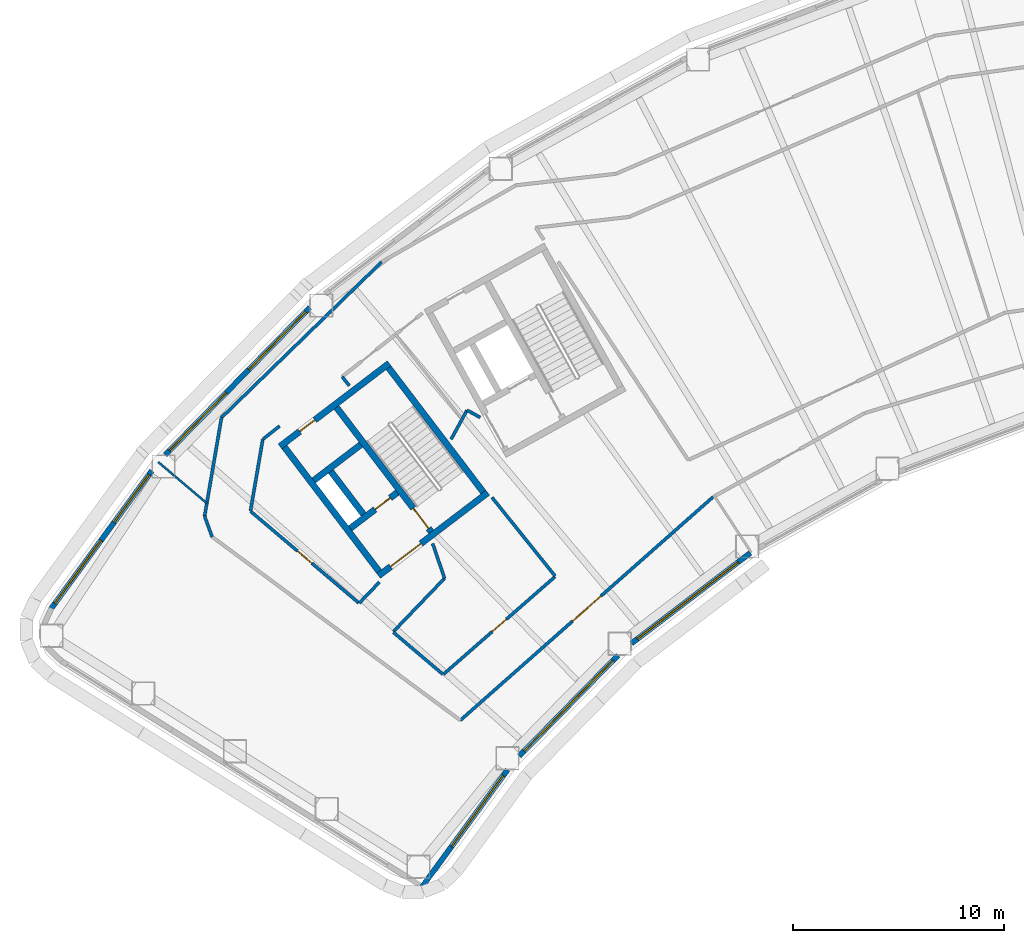
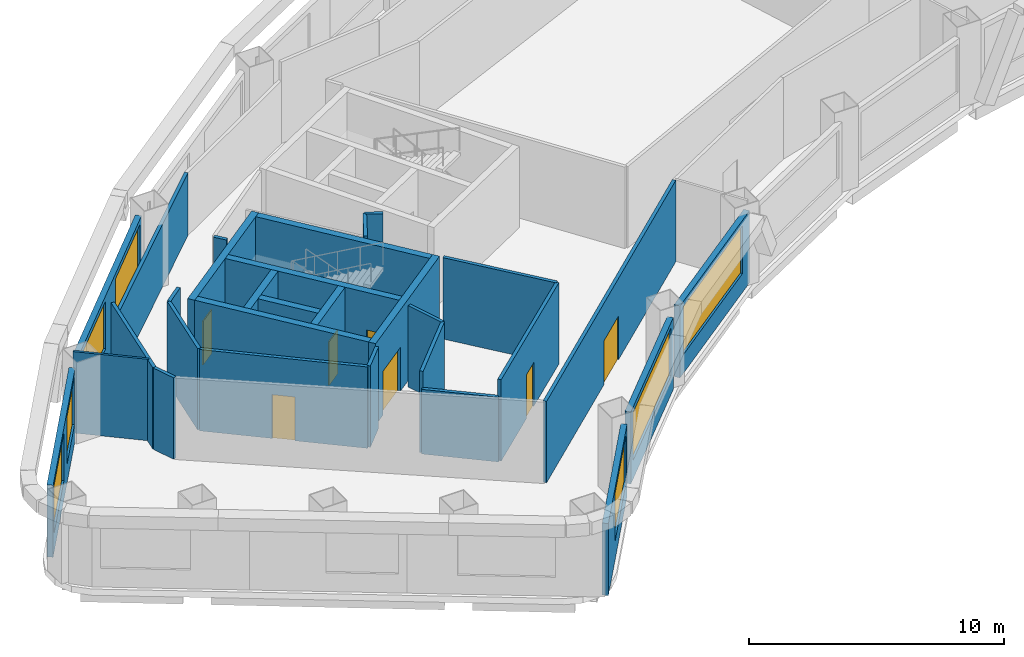
# One storey, part 3 of 12: 30 walls, 7 doors, 7 windows, 14 openings.
"""IFC4 building model written with IfcOpenShell, lengths in metres."""

from ifc_helpers import new_model, si_unit, direction, frame, frame_2d, origin, place, context, subcontext, project, spatial, rectangle, extrude, material, layer, layer_set, type_object, element, fill, save


model = new_model("IFC4")

# Units and contexts
model_context = context("Model", 3, precision=1e-05, world=origin(), true_north=direction((0.0, 1.0)))
body_context = subcontext(model_context, "Body", "Model", "MODEL_VIEW")
ifc_project = project(units=[si_unit("LENGTHUNIT", "METRE"), si_unit("AREAUNIT", "SQUARE_METRE"), si_unit("VOLUMEUNIT", "CUBIC_METRE"), si_unit("PLANEANGLEUNIT", "RADIAN"), si_unit("MASSUNIT", "GRAM", prefix="KILO")], contexts=[model_context])

# Site, building, storey
site_placement = place(None, origin())
site = spatial("IfcSite", under=ifc_project, at=site_placement, CompositionType="ELEMENT")
building_placement = place(site_placement, origin())
building = spatial("IfcBuilding", under=site, at=building_placement, Name="Tuul Gate Civic Tower", CompositionType="ELEMENT")
storey_placement = place(building_placement, frame((0.0, 0.0, 103.5)))
storey = spatial("IfcBuildingStorey", under=building, at=storey_placement, Name="Level 23", CompositionType="ELEMENT", Elevation=103.5)

# Wall, opening, door
ifc_material_1 = material(Name="Concrete C50/60", Category="concrete")
ifc_layer_1 = layer(ifc_material_1, 0.300048828125)
ifc_layer_set_1 = layer_set([ifc_layer_1], Name="Concrete C50/60")
wall_type_1 = type_object("IfcWallType", Name="Core wall C50/60", PredefinedType="SHEAR", material=ifc_layer_set_1)
wall_1_placement = place(storey_placement, frame((-31.19091796875, -13.669677734375, 0.0), z_axis=(0.0, 0.0, 1.0), x_axis=(-0.795606717756, -0.605813461934, 0.0)))
wall_1 = element("IfcWall", 1, at=wall_1_placement, inside=storey, type_object=wall_type_1, Name="Core wall", PredefinedType="SHEAR", context=body_context, shape_type="SweptSolid", body=[
    extrude(rectangle(XDim=6.5, YDim=0.300048828125, at=frame_2d((3.25, 0.0))), origin(), (0.0, 0.0, 1.0), 3.89990234375),
])
opening_1_placement = place(wall_1_placement, frame((3.97509765625, 0.0, 0.0)))
opening_1 = element("IfcOpeningElement", 2, at=opening_1_placement, cuts=wall_1, Name="Opening LB-W1-LOBBY-1", PredefinedType="OPENING", context=body_context, shape_type="SweptSolid", body=[
    extrude(rectangle(XDim=1.800048828125, YDim=2.10009765625, at=frame_2d((0.89990234375, 1.050048828125))), frame((0.0, 0.16015625, 0.0), z_axis=(0.0, -1.0, 0.0), x_axis=(1.0, 0.0, 0.0)), (0.0, 0.0, 1.0), 0.320068359375),
])
ifc_material_2 = material(Name="Steel", Category="steel")
door_type_1 = type_object("IfcDoorType", Name="Lobby door", OperationType="DOUBLE_DOOR_SINGLE_SWING", PredefinedType="DOOR", material=ifc_material_2)
door_1_placement = place(opening_1_placement, origin())
door_1 = element("IfcDoor", 3, at=door_1_placement, inside=storey, type_object=door_type_1, Name="Lobby door W1-LOBBY", OperationType="DOUBLE_DOOR_SINGLE_SWING", OverallHeight=2.10009765625, OverallWidth=1.800048828125, PredefinedType="DOOR", context=body_context, shape_type="SweptSolid", body=[
    extrude(rectangle(XDim=1.800048828125, YDim=2.10009765625, at=frame_2d((0.89990234375, 1.050048828125))), frame((0.0, 0.02490234375, 0.0), z_axis=(0.0, -1.0, 0.0), x_axis=(1.0, 0.0, 0.0)), (0.0, 0.0, 1.0), 0.050048828125),
])
fill(opening_1, door_1)

wall_2_placement = place(storey_placement, frame((-35.470947265625, -13.66064453125, 0.0), z_axis=(0.0, 0.0, 1.0), x_axis=(-0.795615822227, -0.605801504968, 0.0)))
wall_2 = element("IfcWall", 4, at=wall_2_placement, inside=storey, type_object=wall_type_1, Name="Core wall", PredefinedType="SHEAR", context=body_context, shape_type="SweptSolid", body=[
    extrude(rectangle(XDim=2.800048828125, YDim=0.300048828125, at=frame_2d((1.39990234375, 0.0))), origin(), (0.0, 0.0, 1.0), 3.89990234375),
])
opening_2_placement = place(wall_2_placement, frame((0.425048828125, 0.0, 0.0)))
opening_2 = element("IfcOpeningElement", 5, at=opening_2_placement, cuts=wall_2, Name="Opening FB-W1A1", PredefinedType="OPENING", context=body_context, shape_type="SweptSolid", body=[
    extrude(rectangle(XDim=0.89990234375, YDim=2.10009765625, at=frame_2d((0.449951171875, 1.050048828125))), frame((0.0, 0.16015625, 0.0), z_axis=(0.0, -1.0, 0.0), x_axis=(1.0, 0.0, 0.0)), (0.0, 0.0, 1.0), 0.320068359375),
])
ifc_material_3 = material(Name="Steel", Category="steel")
door_type_2 = type_object("IfcDoorType", Name="Store door", OperationType="NOTDEFINED", PredefinedType="DOOR", material=ifc_material_3)
door_2_placement = place(opening_2_placement, origin())
door_2 = element("IfcDoor", 6, at=door_2_placement, inside=storey, type_object=door_type_2, Name="Store door W1A1", OperationType="SINGLE_SWING_LEFT", OverallHeight=2.10009765625, OverallWidth=0.89990234375, PredefinedType="DOOR", context=body_context, shape_type="SweptSolid", body=[
    extrude(rectangle(XDim=0.89990234375, YDim=2.10009765625, at=frame_2d((0.449951171875, 1.050048828125))), frame((0.0, 0.02490234375, 0.0), z_axis=(0.0, -1.0, 0.0), x_axis=(1.0, 0.0, 0.0)), (0.0, 0.0, 1.0), 0.050048828125),
])
fill(opening_2, door_2)

# Wall
wall_3_placement = place(storey_placement, frame((-37.197509765625, -11.39306640625, 0.0), z_axis=(0.0, 0.0, 1.0), x_axis=(-0.795583820278, -0.605843531707, 0.0)))
element("IfcWall", 7, at=wall_3_placement, inside=storey, type_object=wall_type_1, Name="Core wall", PredefinedType="SHEAR", context=body_context, shape_type="SweptSolid", body=[
    extrude(rectangle(XDim=2.7998046875, YDim=0.300048828125, at=frame_2d((1.39990234375, 0.0))), origin(), (0.0, 0.0, 1.0), 3.89990234375),
])

# Wall, opening, door
wall_4_placement = place(storey_placement, frame((-35.855224609375, -7.543212890625, 0.0), z_axis=(0.0, 0.0, 1.0), x_axis=(-0.79563860527, -0.605771582202, 0.0)))
wall_4 = element("IfcWall", 8, at=wall_4_placement, inside=storey, type_object=wall_type_1, Name="Core wall", PredefinedType="SHEAR", context=body_context, shape_type="SweptSolid", body=[
    extrude(rectangle(XDim=6.5, YDim=0.300048828125, at=frame_2d((3.25, 0.0))), origin(), (0.0, 0.0, 1.0), 3.89990234375),
])
opening_3_placement = place(wall_4_placement, frame((4.425048828125, 0.0, 0.0)))
opening_3 = element("IfcOpeningElement", 9, at=opening_3_placement, cuts=wall_4, Name="Opening G-D25", PredefinedType="OPENING", context=body_context, shape_type="SweptSolid", body=[
    extrude(rectangle(XDim=0.89990234375, YDim=2.10009765625, at=frame_2d((0.449951171875, 1.050048828125))), frame((0.0, 0.16015625, 0.0), z_axis=(0.0, -1.0, 0.0), x_axis=(1.0, 0.0, 0.0)), (0.0, 0.0, 1.0), 0.320068359375),
])
ifc_material_4 = material(Name="Timber door leaf", Category="wood")
door_type_3 = type_object("IfcDoorType", Name="Door D09", OperationType="NOTDEFINED", PredefinedType="DOOR", material=ifc_material_4)
door_3_placement = place(opening_3_placement, origin())
door_3 = element("IfcDoor", 10, at=door_3_placement, inside=storey, type_object=door_type_3, Name="Door G-D25", OperationType="SINGLE_SWING_LEFT", OverallHeight=2.10009765625, OverallWidth=0.89990234375, PredefinedType="DOOR", context=body_context, shape_type="SweptSolid", body=[
    extrude(rectangle(XDim=0.89990234375, YDim=2.10009765625, at=frame_2d((0.449951171875, 1.050048828125))), frame((0.0, 0.02490234375, 0.0), z_axis=(0.0, -1.0, 0.0), x_axis=(1.0, 0.0, 0.0)), (0.0, 0.0, 1.0), 0.050048828125),
])
fill(opening_3, door_3)

# Wall
wall_5_placement = place(storey_placement, frame((-31.401123046875, -13.64111328125, 0.0), z_axis=(0.0, 0.0, 1.0), x_axis=(-0.605769822278, 0.795639945213, 0.0)))
element("IfcWall", 11, at=wall_5_placement, inside=storey, type_object=wall_type_1, Name="Core wall", PredefinedType="SHEAR", context=body_context, shape_type="SweptSolid", body=[
    extrude(rectangle(XDim=7.39990234375, YDim=0.300048828125, at=frame_2d((3.699951171875, 0.0))), origin(), (0.0, 0.0, 1.0), 3.89990234375),
])

# Wall, opening, door
wall_6_placement = place(storey_placement, frame((-33.867431640625, -15.51904296875, 0.0), z_axis=(0.0, 0.0, 1.0), x_axis=(-0.605769822278, 0.795639945213, 0.0)))
wall_6 = element("IfcWall", 12, at=wall_6_placement, inside=storey, type_object=wall_type_1, Name="Core wall", PredefinedType="SHEAR", context=body_context, shape_type="SweptSolid", body=[
    extrude(rectangle(XDim=7.39990234375, YDim=0.300048828125, at=frame_2d((3.699951171875, 0.0))), origin(), (0.0, 0.0, 1.0), 3.89990234375),
])
opening_4_placement = place(wall_6_placement, frame((0.199951171875, 0.0, 0.0)))
opening_4 = element("IfcOpeningElement", 13, at=opening_4_placement, cuts=wall_6, Name="Opening SD-ST-1", PredefinedType="OPENING", context=body_context, shape_type="SweptSolid", body=[
    extrude(rectangle(XDim=1.199951171875, YDim=2.10009765625, at=frame_2d((0.60009765625, 1.050048828125))), frame((0.0, 0.16015625, 0.0), z_axis=(0.0, -1.0, 0.0), x_axis=(1.0, 0.0, 0.0)), (0.0, 0.0, 1.0), 0.320068359375),
])
ifc_material_5 = material(Name="Steel", Category="steel")
door_type_4 = type_object("IfcDoorType", Name="Stair door", OperationType="NOTDEFINED", PredefinedType="DOOR", material=ifc_material_5)
door_4_placement = place(opening_4_placement, origin())
door_4 = element("IfcDoor", 14, at=door_4_placement, inside=storey, type_object=door_type_4, Name="Stair door ST-1", OperationType="SINGLE_SWING_LEFT", OverallHeight=2.10009765625, OverallWidth=1.199951171875, PredefinedType="DOOR", context=body_context, shape_type="SweptSolid", body=[
    extrude(rectangle(XDim=1.199951171875, YDim=2.10009765625, at=frame_2d((0.60009765625, 1.050048828125))), frame((0.0, 0.02490234375, 0.0), z_axis=(0.0, -1.0, 0.0), x_axis=(1.0, 0.0, 0.0)), (0.0, 0.0, 1.0), 0.050048828125),
])
fill(opening_4, door_4)

# Walls
wall_7_placement = place(storey_placement, frame((-37.073486328125, -14.6923828125, 0.0), z_axis=(0.0, 0.0, 1.0), x_axis=(-0.605728760074, 0.79567120673, 0.0)))
element("IfcWall", 15, at=wall_7_placement, inside=storey, type_object=wall_type_1, Name="Core wall", PredefinedType="SHEAR", context=body_context, shape_type="SweptSolid", body=[
    extrude(rectangle(XDim=2.550048828125, YDim=0.300048828125, at=frame_2d((1.27490234375, 0.0))), origin(), (0.0, 0.0, 1.0), 3.89990234375),
])
wall_8_placement = place(storey_placement, frame((-36.333984375, -17.397216796875, 0.0), z_axis=(0.0, 0.0, 1.0), x_axis=(-0.605753921168, 0.795652051458, 0.0)))
element("IfcWall", 16, at=wall_8_placement, inside=storey, type_object=wall_type_1, Name="Core wall", PredefinedType="SHEAR", context=body_context, shape_type="SweptSolid", body=[
    extrude(rectangle(XDim=7.400146484375, YDim=0.300048828125, at=frame_2d((3.7001953125, 0.0))), origin(), (0.0, 0.0, 1.0), 3.89990234375),
])
ifc_material_6 = material(Name="Gypsum board partition")
ifc_layer_2 = layer(ifc_material_6, 0.14990234375)
ifc_layer_set_2 = layer_set([ifc_layer_2], Name="Gypsum board partition")
wall_type_2 = type_object("IfcWallType", Name="Corridor wall P150", PredefinedType="PARTITIONING", material=ifc_layer_set_2)
wall_9_placement = place(storey_placement, frame((-44.59521484375, -14.7802734375, 0.0), z_axis=(0.0, 0.0, 1.0), x_axis=(0.169055426536, 0.985606545615, 0.0)))
element("IfcWall", 17, at=wall_9_placement, inside=storey, type_object=wall_type_2, Name="p017", PredefinedType="PARTITIONING", context=body_context, shape_type="SweptSolid", body=[
    extrude(rectangle(XDim=4.73388671875, YDim=0.14990234375, at=frame_2d((2.366943359375, 0.0))), origin(), (0.0, 0.0, 1.0), 3.89990234375),
])

# Wall, opening, door
wall_10_placement = place(storey_placement, frame((-32.48779296875, -24.447509765625, 0.0), z_axis=(0.0, 0.0, 1.0), x_axis=(0.749311969877, 0.662217163624, 0.0)))
wall_10 = element("IfcWall", 18, at=wall_10_placement, inside=storey, type_object=wall_type_2, Name="p024", PredefinedType="PARTITIONING", context=body_context, shape_type="SweptSolid", body=[
    extrude(rectangle(XDim=15.966796875, YDim=0.14990234375, at=frame_2d((7.9833984375, 0.0))), origin(), (0.0, 0.0, 1.0), 3.89990234375),
])
opening_5_placement = place(wall_10_placement, frame((7.083251953125, 0.0, 0.0)))
opening_5 = element("IfcOpeningElement", 19, at=opening_5_placement, cuts=wall_10, Name="Opening G-D08", PredefinedType="OPENING", context=body_context, shape_type="SweptSolid", body=[
    extrude(rectangle(XDim=1.800048828125, YDim=2.10009765625, at=frame_2d((0.89990234375, 1.050048828125))), frame((0.0, 0.0849609375, 0.0), z_axis=(0.0, -1.0, 0.0), x_axis=(1.0, 0.0, 0.0)), (0.0, 0.0, 1.0), 0.169921875),
])
ifc_material_7 = material(Name="Timber door leaf, double", Category="wood")
door_type_5 = type_object("IfcDoorType", Name="Door D18", OperationType="DOUBLE_DOOR_SINGLE_SWING", PredefinedType="DOOR", material=ifc_material_7)
door_5_placement = place(opening_5_placement, frame((1.800048828125, 0.0, 0.0), z_axis=(0.0, 0.0, 1.0), x_axis=(-1.0, 0.0, 0.0)))
door_5 = element("IfcDoor", 20, at=door_5_placement, inside=storey, type_object=door_type_5, Name="Door G-D08", OperationType="DOUBLE_DOOR_SINGLE_SWING", OverallHeight=2.10009765625, OverallWidth=1.800048828125, PredefinedType="DOOR", context=body_context, shape_type="SweptSolid", body=[
    extrude(rectangle(XDim=1.800048828125, YDim=2.10009765625, at=frame_2d((0.900146484375, 1.050048828125))), frame((0.0, 0.02490234375, 0.0), z_axis=(0.0, -1.0, 0.0), x_axis=(1.0, 0.0, 0.0)), (0.0, 0.0, 1.0), 0.050048828125),
])
fill(opening_5, door_5)

# Walls
wall_11_placement = place(storey_placement, frame((-44.59521484375, -14.7802734375, 0.0), z_axis=(0.0, 0.0, 1.0), x_axis=(0.341856016558, -0.939752341813, 0.0)))
element("IfcWall", 21, at=wall_11_placement, inside=storey, type_object=wall_type_2, Name="p026", PredefinedType="PARTITIONING", context=body_context, shape_type="SweptSolid", body=[
    extrude(rectangle(XDim=1.041259765625, YDim=0.14990234375, at=frame_2d((0.5205078125, 0.0))), origin(), (0.0, 0.0, 1.0), 3.89990234375),
])
wall_12_placement = place(storey_placement, frame((-38.083251953125, -8.17626953125, 0.0), z_axis=(0.0, 0.0, 1.0), x_axis=(0.619832634479, -0.784734034712, 0.0)))
element("IfcWall", 22, at=wall_12_placement, inside=storey, type_object=wall_type_2, Name="p034", PredefinedType="PARTITIONING", context=body_context, shape_type="SweptSolid", body=[
    extrude(rectangle(XDim=0.54638671875, YDim=0.14990234375, at=frame_2d((0.273193359375, 0.0))), origin(), (0.0, 0.0, 1.0), 3.89990234375),
])
wall_13_placement = place(storey_placement, frame((-41.834716796875, -11.138916015625, 0.0), z_axis=(0.0, 0.0, 1.0), x_axis=(0.784697148831, 0.61987933069, 0.0)))
element("IfcWall", 23, at=wall_13_placement, inside=storey, type_object=wall_type_2, Name="p035", PredefinedType="PARTITIONING", context=body_context, shape_type="SweptSolid", body=[
    extrude(rectangle(XDim=1.01025390625, YDim=0.14990234375, at=frame_2d((0.505126953125, 0.0))), origin(), (0.0, 0.0, 1.0), 3.89990234375),
])
wall_14_placement = place(storey_placement, frame((-32.92578125, -11.143310546875, 0.0), z_axis=(0.0, 0.0, 1.0), x_axis=(0.479689142652, 0.877438502929, 0.0)))
element("IfcWall", 24, at=wall_14_placement, inside=storey, type_object=wall_type_2, Name="p037", PredefinedType="PARTITIONING", context=body_context, shape_type="SweptSolid", body=[
    extrude(rectangle(XDim=1.5732421875, YDim=0.14990234375, at=frame_2d((0.78662109375, 0.0))), origin(), (0.0, 0.0, 1.0), 3.89990234375),
])
wall_15_placement = place(storey_placement, frame((-37.26708984375, -18.89111328125, 0.0), z_axis=(0.0, 0.0, 1.0), x_axis=(0.69281148045, 0.721118750662, 0.0)))
element("IfcWall", 25, at=wall_15_placement, inside=storey, type_object=wall_type_2, Name="p039", PredefinedType="PARTITIONING", context=body_context, shape_type="SweptSolid", body=[
    extrude(rectangle(XDim=1.36279296875, YDim=0.14990234375, at=frame_2d((0.681396484375, 0.0))), origin(), (0.0, 0.0, 1.0), 3.89990234375),
])

# Wall, opening, door
wall_16_placement = place(storey_placement, frame((-42.415283203125, -14.5517578125, 0.0), z_axis=(0.0, 0.0, 1.0), x_axis=(0.762828712337, -0.646600615244, 0.0)))
wall_16 = element("IfcWall", 26, at=wall_16_placement, inside=storey, type_object=wall_type_2, Name="p040", PredefinedType="PARTITIONING", context=body_context, shape_type="SweptSolid", body=[
    extrude(rectangle(XDim=6.71337890625, YDim=0.14990234375, at=frame_2d((3.356689453125, 0.0))), origin(), (0.0, 0.0, 1.0), 3.89990234375),
])
opening_6_placement = place(wall_16_placement, frame((2.906494140625, 0.0, 0.0)))
opening_6 = element("IfcOpeningElement", 27, at=opening_6_placement, cuts=wall_16, Name="Opening G-D13", PredefinedType="OPENING", context=body_context, shape_type="SweptSolid", body=[
    extrude(rectangle(XDim=0.89990234375, YDim=2.10009765625, at=frame_2d((0.449951171875, 1.050048828125))), frame((0.0, 0.0849609375, 0.0), z_axis=(0.0, -1.0, 0.0), x_axis=(1.0, 0.0, 0.0)), (0.0, 0.0, 1.0), 0.169921875),
])
door_6_placement = place(opening_6_placement, origin())
door_6 = element("IfcDoor", 28, at=door_6_placement, inside=storey, type_object=door_type_3, Name="Door G-D13", OperationType="SINGLE_SWING_RIGHT", OverallHeight=2.10009765625, OverallWidth=0.89990234375, PredefinedType="DOOR", context=body_context, shape_type="SweptSolid", body=[
    extrude(rectangle(XDim=0.89990234375, YDim=2.10009765625, at=frame_2d((0.449951171875, 1.050048828125))), frame((0.0, 0.02490234375, 0.0), z_axis=(0.0, -1.0, 0.0), x_axis=(1.0, 0.0, 0.0)), (0.0, 0.0, 1.0), 0.050048828125),
])
fill(opening_6, door_6)

# Wall
wall_17_placement = place(storey_placement, frame((-42.422119140625, -14.533203125, 0.0), z_axis=(0.0, 0.0, 1.0), x_axis=(0.169046754249, 0.985608033083, 0.0)))
element("IfcWall", 29, at=wall_17_placement, inside=storey, type_object=wall_type_2, Name="p042", PredefinedType="PARTITIONING", context=body_context, shape_type="SweptSolid", body=[
    extrude(rectangle(XDim=3.431396484375, YDim=0.14990234375, at=frame_2d((1.7158203125, 0.0))), origin(), (0.0, 0.0, 1.0), 3.89990234375),
])

# Wall, opening, door
wall_18_placement = place(storey_placement, frame((-33.28564453125, -22.26806640625, 0.0), z_axis=(0.0, 0.0, 1.0), x_axis=(0.752637006597, 0.658435673624, 0.0)))
wall_18 = element("IfcWall", 30, at=wall_18_placement, inside=storey, type_object=wall_type_2, Name="p076", PredefinedType="PARTITIONING", context=body_context, shape_type="SweptSolid", body=[
    extrude(rectangle(XDim=7.02099609375, YDim=0.14990234375, at=frame_2d((3.510498046875, 0.0))), origin(), (0.0, 0.0, 1.0), 3.89990234375),
])
opening_7_placement = place(wall_18_placement, frame((3.060302734375, 0.0, 0.0)))
opening_7 = element("IfcOpeningElement", 31, at=opening_7_placement, cuts=wall_18, Name="Opening G-D20", PredefinedType="OPENING", context=body_context, shape_type="SweptSolid", body=[
    extrude(rectangle(XDim=0.89990234375, YDim=2.10009765625, at=frame_2d((0.449951171875, 1.050048828125))), frame((0.0, 0.0849609375, 0.0), z_axis=(0.0, -1.0, 0.0), x_axis=(1.0, 0.0, 0.0)), (0.0, 0.0, 1.0), 0.169921875),
])
door_7_placement = place(opening_7_placement, origin())
door_7 = element("IfcDoor", 32, at=door_7_placement, inside=storey, type_object=door_type_3, Name="Door G-D20", OperationType="SINGLE_SWING_RIGHT", OverallHeight=2.10009765625, OverallWidth=0.89990234375, PredefinedType="DOOR", context=body_context, shape_type="SweptSolid", body=[
    extrude(rectangle(XDim=0.89990234375, YDim=2.10009765625, at=frame_2d((0.449951171875, 1.050048828125))), frame((0.0, 0.02490234375, 0.0), z_axis=(0.0, -1.0, 0.0), x_axis=(1.0, 0.0, 0.0)), (0.0, 0.0, 1.0), 0.050048828125),
])
fill(opening_7, door_7)

# Walls
wall_19_placement = place(storey_placement, frame((-30.98828125, -13.893310546875, 0.0), z_axis=(0.0, 0.0, 1.0), x_axis=(0.625941135906, -0.779870306129, 0.0)))
element("IfcWall", 33, at=wall_19_placement, inside=storey, type_object=wall_type_2, Name="p077", PredefinedType="PARTITIONING", context=body_context, shape_type="SweptSolid", body=[
    extrude(rectangle(XDim=4.775634765625, YDim=0.14990234375, at=frame_2d((2.3876953125, 0.0))), origin(), (0.0, 0.0, 1.0), 3.89990234375),
])
wall_20_placement = place(storey_placement, frame((-35.66015625, -20.249755859375, 0.0), z_axis=(0.0, 0.0, 1.0), x_axis=(0.692817567144, 0.72111290285, 0.0)))
element("IfcWall", 34, at=wall_20_placement, inside=storey, type_object=wall_type_2, Name="p078", PredefinedType="PARTITIONING", context=body_context, shape_type="SweptSolid", body=[
    extrude(rectangle(XDim=3.503173828125, YDim=0.14990234375, at=frame_2d((1.75146484375, 0.0))), origin(), (0.0, 0.0, 1.0), 3.89990234375),
])
wall_21_placement = place(storey_placement, frame((-33.797607421875, -16.077392578125, 0.0), z_axis=(0.0, 0.0, 1.0), x_axis=(0.324467839266, -0.945896728656, 0.0)))
element("IfcWall", 35, at=wall_21_placement, inside=storey, type_object=wall_type_2, Name="p079", PredefinedType="PARTITIONING", context=body_context, shape_type="SweptSolid", body=[
    extrude(rectangle(XDim=1.73974609375, YDim=0.14990234375, at=frame_2d((0.869873046875, 0.0))), origin(), (0.0, 0.0, 1.0), 3.89990234375),
])
wall_22_placement = place(storey_placement, frame((-32.1708984375, -9.762939453125, 0.0), z_axis=(0.0, 0.0, 1.0), x_axis=(0.877058567063, -0.480383461352, 0.0)))
element("IfcWall", 36, at=wall_22_placement, inside=storey, type_object=wall_type_2, Name="p082", PredefinedType="PARTITIONING", context=body_context, shape_type="SweptSolid", body=[
    extrude(rectangle(XDim=0.714599609375, YDim=0.14990234375, at=frame_2d((0.357421875, 0.0))), origin(), (0.0, 0.0, 1.0), 3.89990234375),
])
ifc_material_8 = material(Name="Gypsum board partition")
ifc_layer_3 = layer(ifc_material_8, 0.14990234375)
ifc_layer_set_3 = layer_set([ifc_layer_3], Name="Gypsum board partition")
wall_type_3 = type_object("IfcWallType", Name="Corridor wall P150 3000 HIGH", PredefinedType="PARTITIONING", material=ifc_layer_set_3)
wall_23_placement = place(storey_placement, frame((-43.794921875, -10.114501953125, 0.0), z_axis=(0.0, 0.0, 1.0), x_axis=(0.717142606126, 0.69692645414, 0.0)))
element("IfcWall", 37, at=wall_23_placement, inside=storey, type_object=wall_type_3, Name="p021", PredefinedType="PARTITIONING", context=body_context, shape_type="SweptSolid", body=[
    extrude(rectangle(XDim=10.5791015625, YDim=0.14990234375, at=frame_2d((5.28955078125, 0.0))), origin(), (0.0, 0.0, 1.0), 3.0),
])
ifc_material_9 = material(Name="Gypsum board partition")
ifc_layer_4 = layer(ifc_material_9, 0.14990234375)
ifc_layer_set_4 = layer_set([ifc_layer_4], Name="Gypsum board partition")
wall_type_4 = type_object("IfcWallType", Name="Corridor wall P150 3100 HIGH", PredefinedType="PARTITIONING", material=ifc_layer_set_4)
wall_24_placement = place(storey_placement, frame((-35.65869140625, -20.27880859375, 0.0), z_axis=(0.0, 0.0, 1.0), x_axis=(0.762802058866, -0.646632058431, 0.0)))
element("IfcWall", 38, at=wall_24_placement, inside=storey, type_object=wall_type_4, Name="p041", PredefinedType="PARTITIONING", context=body_context, shape_type="SweptSolid", body=[
    extrude(rectangle(XDim=3.07666015625, YDim=0.14990234375, at=frame_2d((1.538330078125, 0.0))), origin(), (0.0, 0.0, 1.0), 3.10009765625),
])

# Wall, openings, windows
ifc_material_10 = material(Name="Precast concrete C40/50", Category="concrete")
ifc_layer_5 = layer(ifc_material_10, 0.25)
ifc_layer_set_5 = layer_set([ifc_layer_5], Name="Precast concrete C40/50")
wall_type_5 = type_object("IfcWallType", Name="External wall", PredefinedType="STANDARD", material=ifc_layer_set_5)
wall_25_placement = place(storey_placement, frame((-39.618896484375, -4.901611328125, 0.0), z_axis=(0.0, 0.0, 1.0), x_axis=(-0.699999704783, -0.714143132224, 0.0)))
wall_25 = element("IfcWall", 39, at=wall_25_placement, inside=storey, type_object=wall_type_5, Name="External wall", PredefinedType="STANDARD", context=body_context, shape_type="SweptSolid", body=[
    extrude(rectangle(XDim=9.770263671875, YDim=0.25, at=frame_2d((4.88525390625, 0.0))), origin(), (0.0, 0.0, 1.0), 3.449951171875),
])
opening_8_placement = place(wall_25_placement, frame((0.273193359375, 0.0, 0.89990234375)))
opening_8 = element("IfcOpeningElement", 40, at=opening_8_placement, cuts=wall_25, Name="Opening W22", PredefinedType="OPENING", context=body_context, shape_type="SweptSolid", body=[
    extrude(rectangle(XDim=3.85009765625, YDim=2.300048828125, at=frame_2d((1.925048828125, 1.14990234375))), frame((0.0, 0.135009765625, 0.0), z_axis=(0.0, -1.0, 0.0), x_axis=(1.0, 0.0, 0.0)), (0.0, 0.0, 1.0), 0.27001953125),
])
opening_9_placement = place(wall_25_placement, frame((5.64453125, 0.0, 0.89990234375)))
opening_9 = element("IfcOpeningElement", 41, at=opening_9_placement, cuts=wall_25, Name="Opening W22", PredefinedType="OPENING", context=body_context, shape_type="SweptSolid", body=[
    extrude(rectangle(XDim=3.85009765625, YDim=2.300048828125, at=frame_2d((1.925048828125, 1.14990234375))), frame((0.0, 0.135009765625, 0.0), z_axis=(0.0, -1.0, 0.0), x_axis=(1.0, 0.0, 0.0)), (0.0, 0.0, 1.0), 0.27001953125),
])
ifc_material_11 = material(Name="Glass", Category="glass")
window_type_1 = type_object("IfcWindowType", Name="Window W22 3850 x 2300", PartitioningType="SINGLE_PANEL", PredefinedType="WINDOW", material=ifc_material_11)
window_1_placement = place(opening_8_placement, origin())
window_1 = element("IfcWindow", 42, at=window_1_placement, inside=storey, type_object=window_type_1, Name="Window", OverallHeight=2.300048828125, OverallWidth=3.85009765625, PartitioningType="SINGLE_PANEL", PredefinedType="WINDOW", context=body_context, shape_type="SweptSolid", body=[
    extrude(rectangle(XDim=3.85009765625, YDim=2.300048828125, at=frame_2d((1.925048828125, 1.14990234375))), frame((0.0, 0.030029296875, 0.0), z_axis=(0.0, -1.0, 0.0), x_axis=(1.0, 0.0, 0.0)), (0.0, 0.0, 1.0), 0.06005859375),
])
fill(opening_8, window_1)
window_2_placement = place(opening_9_placement, origin())
window_2 = element("IfcWindow", 43, at=window_2_placement, inside=storey, type_object=window_type_1, Name="Window", OverallHeight=2.300048828125, OverallWidth=3.85009765625, PartitioningType="SINGLE_PANEL", PredefinedType="WINDOW", context=body_context, shape_type="SweptSolid", body=[
    extrude(rectangle(XDim=3.85009765625, YDim=2.300048828125, at=frame_2d((1.925048828125, 1.14990234375))), frame((0.0, 0.030029296875, 0.0), z_axis=(0.0, -1.0, 0.0), x_axis=(1.0, 0.0, 0.0)), (0.0, 0.0, 1.0), 0.06005859375),
])
fill(opening_9, window_2)

wall_26_placement = place(storey_placement, frame((-47.093017578125, -12.6318359375, 0.0), z_axis=(0.0, 0.0, 1.0), x_axis=(-0.589890871529, -0.807482977955, 0.0)))
wall_26 = element("IfcWall", 44, at=wall_26_placement, inside=storey, type_object=wall_type_5, Name="External wall", PredefinedType="STANDARD", context=body_context, shape_type="SweptSolid", body=[
    extrude(rectangle(XDim=8.0830078125, YDim=0.25, at=frame_2d((4.04150390625, 0.0))), origin(), (0.0, 0.0, 1.0), 3.449951171875),
])
opening_10_placement = place(wall_26_placement, frame((0.23046875, 0.0, 0.89990234375)))
opening_10 = element("IfcOpeningElement", 45, at=opening_10_placement, cuts=wall_26, Name="Opening W23", PredefinedType="OPENING", context=body_context, shape_type="SweptSolid", body=[
    extrude(rectangle(XDim=2.800048828125, YDim=2.300048828125, at=frame_2d((1.39990234375, 1.14990234375))), frame((0.0, 0.135009765625, 0.0), z_axis=(0.0, -1.0, 0.0), x_axis=(1.0, 0.0, 0.0)), (0.0, 0.0, 1.0), 0.27001953125),
])
opening_11_placement = place(wall_26_placement, frame((4.08203125, 0.0, 0.89990234375)))
opening_11 = element("IfcOpeningElement", 46, at=opening_11_placement, cuts=wall_26, Name="Opening W21", PredefinedType="OPENING", context=body_context, shape_type="SweptSolid", body=[
    extrude(rectangle(XDim=3.699951171875, YDim=2.300048828125, at=frame_2d((1.85009765625, 1.14990234375))), frame((0.0, 0.135009765625, 0.0), z_axis=(0.0, -1.0, 0.0), x_axis=(1.0, 0.0, 0.0)), (0.0, 0.0, 1.0), 0.27001953125),
])
ifc_material_12 = material(Name="Glass", Category="glass")
window_type_2 = type_object("IfcWindowType", Name="Window W21 3700 x 2300", PartitioningType="SINGLE_PANEL", PredefinedType="WINDOW", material=ifc_material_12)
window_3_placement = place(opening_11_placement, origin())
window_3 = element("IfcWindow", 47, at=window_3_placement, inside=storey, type_object=window_type_2, Name="Window", OverallHeight=2.300048828125, OverallWidth=3.699951171875, PartitioningType="SINGLE_PANEL", PredefinedType="WINDOW", context=body_context, shape_type="SweptSolid", body=[
    extrude(rectangle(XDim=3.699951171875, YDim=2.300048828125, at=frame_2d((1.85009765625, 1.14990234375))), frame((0.0, 0.030029296875, 0.0), z_axis=(0.0, -1.0, 0.0), x_axis=(1.0, 0.0, 0.0)), (0.0, 0.0, 1.0), 0.06005859375),
])
fill(opening_11, window_3)
ifc_material_13 = material(Name="Glass", Category="glass")
window_type_3 = type_object("IfcWindowType", Name="Window W23 2800 x 2300", PartitioningType="SINGLE_PANEL", PredefinedType="WINDOW", material=ifc_material_13)
window_4_placement = place(opening_10_placement, origin())
window_4 = element("IfcWindow", 48, at=window_4_placement, inside=storey, type_object=window_type_3, Name="Window", OverallHeight=2.300048828125, OverallWidth=2.800048828125, PartitioningType="SINGLE_PANEL", PredefinedType="WINDOW", context=body_context, shape_type="SweptSolid", body=[
    extrude(rectangle(XDim=2.800048828125, YDim=2.300048828125, at=frame_2d((1.39990234375, 1.14990234375))), frame((0.0, 0.030029296875, 0.0), z_axis=(0.0, -1.0, 0.0), x_axis=(1.0, 0.0, 0.0)), (0.0, 0.0, 1.0), 0.06005859375),
])
fill(opening_10, window_4)

# Wall, opening, window
wall_27_placement = place(storey_placement, frame((-34.291015625, -32.318359375, 0.0), z_axis=(0.0, 0.0, 1.0), x_axis=(0.589868212008, 0.807499530936, 0.0)))
wall_27 = element("IfcWall", 49, at=wall_27_placement, inside=storey, type_object=wall_type_5, Name="External wall", PredefinedType="STANDARD", context=body_context, shape_type="SweptSolid", body=[
    extrude(rectangle(XDim=6.8486328125, YDim=0.25, at=frame_2d((3.42431640625, 0.0))), origin(), (0.0, 0.0, 1.0), 3.449951171875),
])
opening_12_placement = place(wall_27_placement, frame((2.356689453125, 0.0, 0.89990234375)))
opening_12 = element("IfcOpeningElement", 50, at=opening_12_placement, cuts=wall_27, Name="Opening W25", PredefinedType="OPENING", context=body_context, shape_type="SweptSolid", body=[
    extrude(rectangle(XDim=4.14990234375, YDim=2.300048828125, at=frame_2d((2.074951171875, 1.14990234375))), frame((0.0, 0.135009765625, 0.0), z_axis=(0.0, -1.0, 0.0), x_axis=(1.0, 0.0, 0.0)), (0.0, 0.0, 1.0), 0.27001953125),
])
ifc_material_14 = material(Name="Glass", Category="glass")
window_type_4 = type_object("IfcWindowType", Name="Window W25 4150 x 2300", PartitioningType="SINGLE_PANEL", PredefinedType="WINDOW", material=ifc_material_14)
window_5_placement = place(opening_12_placement, origin())
window_5 = element("IfcWindow", 51, at=window_5_placement, inside=storey, type_object=window_type_4, Name="Window", OverallHeight=2.300048828125, OverallWidth=4.14990234375, PartitioningType="SINGLE_PANEL", PredefinedType="WINDOW", context=body_context, shape_type="SweptSolid", body=[
    extrude(rectangle(XDim=4.14990234375, YDim=2.300048828125, at=frame_2d((2.074951171875, 1.14990234375))), frame((0.0, 0.030029296875, 0.0), z_axis=(0.0, -1.0, 0.0), x_axis=(1.0, 0.0, 0.0)), (0.0, 0.0, 1.0), 0.06005859375),
])
fill(opening_12, window_5)

wall_28_placement = place(storey_placement, frame((-29.701904296875, -26.141357421875, 0.0), z_axis=(0.0, 0.0, 1.0), x_axis=(0.700005324082, 0.714137624171, 0.0)))
wall_28 = element("IfcWall", 52, at=wall_28_placement, inside=storey, type_object=wall_type_5, Name="External wall", PredefinedType="STANDARD", context=body_context, shape_type="SweptSolid", body=[
    extrude(rectangle(XDim=6.685546875, YDim=0.25, at=frame_2d((3.3427734375, 0.0))), origin(), (0.0, 0.0, 1.0), 3.449951171875),
])
opening_13_placement = place(wall_28_placement, frame((0.341552734375, 0.0, 0.89990234375)))
opening_13 = element("IfcOpeningElement", 53, at=opening_13_placement, cuts=wall_28, Name="Opening W26", PredefinedType="OPENING", context=body_context, shape_type="SweptSolid", body=[
    extrude(rectangle(XDim=6.0, YDim=2.300048828125, at=frame_2d((3.0, 1.14990234375))), frame((0.0, 0.135009765625, 0.0), z_axis=(0.0, -1.0, 0.0), x_axis=(1.0, 0.0, 0.0)), (0.0, 0.0, 1.0), 0.27001953125),
])
ifc_material_15 = material(Name="Glass", Category="glass")
window_type_5 = type_object("IfcWindowType", Name="Window W26 6000 x 2300", PartitioningType="SINGLE_PANEL", PredefinedType="WINDOW", material=ifc_material_15)
window_6_placement = place(opening_13_placement, origin())
window_6 = element("IfcWindow", 54, at=window_6_placement, inside=storey, type_object=window_type_5, Name="Window", OverallHeight=2.300048828125, OverallWidth=6.0, PartitioningType="SINGLE_PANEL", PredefinedType="WINDOW", context=body_context, shape_type="SweptSolid", body=[
    extrude(rectangle(XDim=6.0, YDim=2.300048828125, at=frame_2d((3.0, 1.14990234375))), frame((0.0, 0.030029296875, 0.0), z_axis=(0.0, -1.0, 0.0), x_axis=(1.0, 0.0, 0.0)), (0.0, 0.0, 1.0), 0.06005859375),
])
fill(opening_13, window_6)

wall_29_placement = place(storey_placement, frame((-24.387939453125, -20.806640625, 0.0), z_axis=(0.0, 0.0, 1.0), x_axis=(0.79558062628, 0.60584772599, 0.0)))
wall_29 = element("IfcWall", 55, at=wall_29_placement, inside=storey, type_object=wall_type_5, Name="External wall", PredefinedType="STANDARD", context=body_context, shape_type="SweptSolid", body=[
    extrude(rectangle(XDim=7.07470703125, YDim=0.25, at=frame_2d((3.537353515625, 0.0))), origin(), (0.0, 0.0, 1.0), 3.449951171875),
])
opening_14_placement = place(wall_29_placement, frame((0.3525390625, 0.0, 0.89990234375)))
opening_14 = element("IfcOpeningElement", 56, at=opening_14_placement, cuts=wall_29, Name="Opening W26", PredefinedType="OPENING", context=body_context, shape_type="SweptSolid", body=[
    extrude(rectangle(XDim=6.0, YDim=2.300048828125, at=frame_2d((3.0, 1.14990234375))), frame((0.0, 0.135009765625, 0.0), z_axis=(0.0, -1.0, 0.0), x_axis=(1.0, 0.0, 0.0)), (0.0, 0.0, 1.0), 0.27001953125),
])
window_7_placement = place(opening_14_placement, origin())
window_7 = element("IfcWindow", 57, at=window_7_placement, inside=storey, type_object=window_type_5, Name="Window", OverallHeight=2.300048828125, OverallWidth=6.0, PartitioningType="SINGLE_PANEL", PredefinedType="WINDOW", context=body_context, shape_type="SweptSolid", body=[
    extrude(rectangle(XDim=6.0, YDim=2.300048828125, at=frame_2d((3.0, 1.14990234375))), frame((0.0, 0.030029296875, 0.0), z_axis=(0.0, -1.0, 0.0), x_axis=(1.0, 0.0, 0.0)), (0.0, 0.0, 1.0), 0.06005859375),
])
fill(opening_14, window_7)

# Wall
ifc_material_16 = material(Name="Gypsum board partition")
ifc_layer_6 = layer(ifc_material_16, 0.10009765625)
ifc_layer_set_6 = layer_set([ifc_layer_6], Name="Gypsum board partition")
wall_type_6 = type_object("IfcWallType", Name="Partition P100", PredefinedType="PARTITIONING", material=ifc_layer_set_6)
wall_30_placement = place(storey_placement, frame((-46.795166015625, -12.2158203125, 0.0), z_axis=(0.0, 0.0, 1.0), x_axis=(0.762815882365, -0.646615751132, 0.0)))
element("IfcWall", 58, at=wall_30_placement, inside=storey, type_object=wall_type_6, Name="p016", PredefinedType="PARTITIONING", context=body_context, shape_type="SweptSolid", body=[
    extrude(rectangle(XDim=3.021240234375, YDim=0.10009765625, at=frame_2d((1.5107421875, 0.0))), origin(), (0.0, 0.0, 1.0), 3.89990234375),
])

save(model, "model.ifc")
